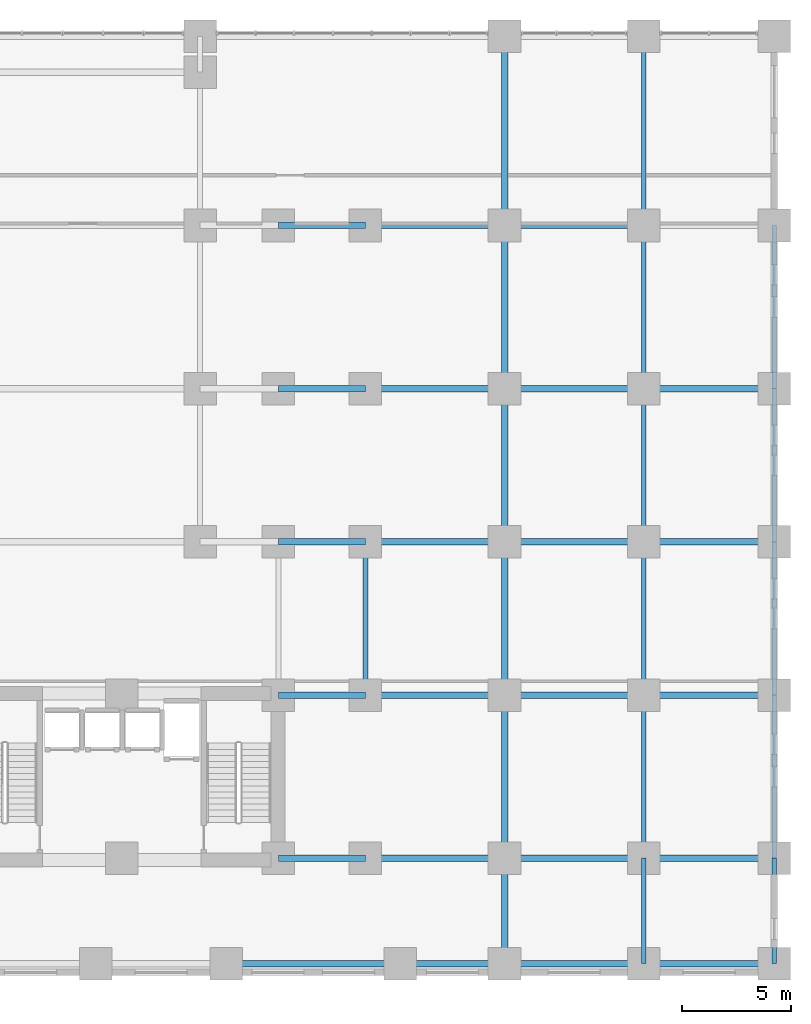
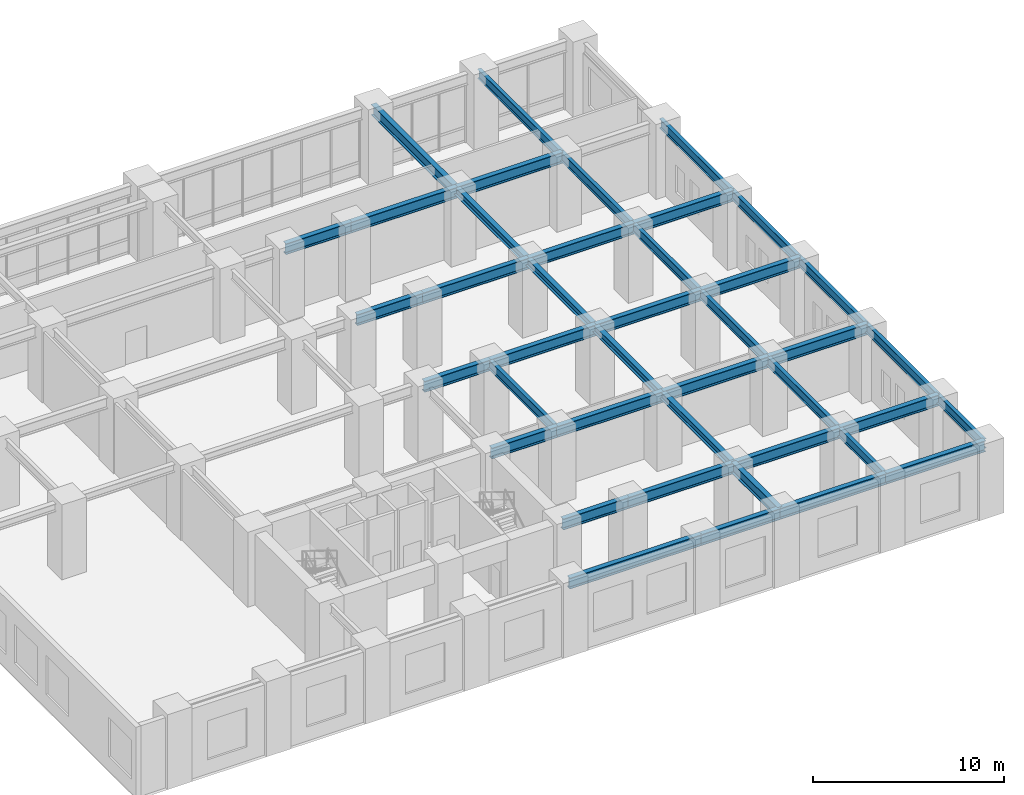
# One storey, part 10 of 22: 41 beams.
"""IFC4 building model written with IfcOpenShell, lengths in metres."""

from ifc_helpers import new_model, si_unit, direction, frame, origin, origin_2d, place, context, subcontext, project, spatial, i_section, extrude, source, transform, mapped, material, material_profile, profile_set, type_object, element, save


model = new_model("IFC4")

# Units and contexts
model_context = context("Model", 3, precision=1e-05, world=origin(), true_north=direction((0.0, 1.0)))
body_context = subcontext(model_context, "Body", "Model", "MODEL_VIEW")
ifc_project = project(units=[si_unit("LENGTHUNIT", "METRE"), si_unit("AREAUNIT", "SQUARE_METRE"), si_unit("VOLUMEUNIT", "CUBIC_METRE"), si_unit("PLANEANGLEUNIT", "RADIAN"), si_unit("MASSUNIT", "GRAM", prefix="KILO")], contexts=[model_context])

# Site, building, storey
site_placement = place(None, origin())
site = spatial("IfcSite", under=ifc_project, at=site_placement, CompositionType="ELEMENT")
building_placement = place(site_placement, origin())
building = spatial("IfcBuilding", under=site, at=building_placement, Name="Kaliganga Portal Commons", CompositionType="ELEMENT")
storey_placement = place(building_placement, frame((0.0, 0.0, 10.199951171875)))
storey = spatial("IfcBuildingStorey", under=building, at=storey_placement, Name="L02", CompositionType="ELEMENT", Elevation=10.199951171875)

# Beams
ifc_material = material(Name="Structural steel S355J2", Category="steel")
ifc_material_profile_1 = material_profile(ifc_material, i_section(OverallWidth=0.219970703125, OverallDepth=0.60009765625, WebThickness=0.011962890625, FlangeThickness=0.01904296875, FilletRadius=0.02392578125, at=origin_2d()), Name="IPE 600")
ifc_profile_set_1 = profile_set([ifc_material_profile_1], Name="Structural steel S355J2 wide-flange")
beam_type_1 = type_object("IfcBeamType", Name="BM-FLR-600", PredefinedType="BEAM", material=ifc_profile_set_1)
shared_shape_1 = source(origin(), body_context, "Body", "SweptSolid", [
    extrude(i_section(OverallWidth=0.219970703125, OverallDepth=0.60009765625, WebThickness=0.011962890625, FlangeThickness=0.01904296875, FilletRadius=0.02392578125, at=origin_2d()), origin(), (0.0, 0.0, 1.0), 7.5),
])
for number, where, z_axis, x_axis, name in (
    (1, (67.199951171875, 7.050048828125, 4.219970703125), (0.0, 1.0, 0.0), (-1.0, 0.0, 0.0), "BM PODE L02 X67 2"),
    (2, (67.199951171875, 28.64990234375, 4.219970703125), (0.0, 1.0, 0.0), (-1.0, 0.0, 0.0), "BM PODE L02 X67 5"),
    (3, (73.199951171875, 7.050048828125, 4.219970703125), (0.0, 1.0, 0.0), (-1.0, 0.0, 0.0), "BM PODE L02 X73 2"),
    (4, (73.199951171875, 28.64990234375, 4.219970703125), (0.0, 1.0, 0.0), (-1.0, 0.0, 0.0), "BM PODE L02 X73 5"),
):
    element("IfcBeam", number, at=place(storey_placement, frame(where, z_axis=z_axis, x_axis=x_axis)), inside=storey, type_object=beam_type_1, Name=name, PredefinedType="BEAM", context=body_context, shape_type="MappedRepresentation", body=[
        mapped(shared_shape_1, transform((0.0, 0.0, 0.0), x_axis=(1.0, 0.0, 0.0), y_axis=(0.0, 1.0, 0.0), z_axis=(0.0, 0.0, 1.0), scale=1.0)),
    ])
shared_shape_2 = source(origin(), body_context, "Body", "SweptSolid", [
    extrude(i_section(OverallWidth=0.219970703125, OverallDepth=0.60009765625, WebThickness=0.011962890625, FlangeThickness=0.01904296875, FilletRadius=0.02392578125, at=origin_2d()), origin(), (0.0, 0.0, 1.0), 7.050048828125),
])
for number, where, z_axis, x_axis, name in (
    (5, (54.39990234375, 14.550048828125, 4.219970703125), (0.0, 1.0, 0.0), (-1.0, 0.0, 0.0), "BM G L02 BNK544"),
    (6, (67.199951171875, 14.550048828125, 4.219970703125), (0.0, 1.0, 0.0), (-1.0, 0.0, 0.0), "BM PODE L02 X67 3"),
    (7, (73.199951171875, 14.550048828125, 4.219970703125), (0.0, 1.0, 0.0), (-1.0, 0.0, 0.0), "BM PODE L02 X73 3"),
):
    element("IfcBeam", number, at=place(storey_placement, frame(where, z_axis=z_axis, x_axis=x_axis)), inside=storey, type_object=beam_type_1, Name=name, PredefinedType="BEAM", context=body_context, shape_type="MappedRepresentation", body=[
        mapped(shared_shape_2, transform((0.0, 0.0, 0.0), x_axis=(1.0, 0.0, 0.0), y_axis=(0.0, 1.0, 0.0), z_axis=(0.0, 0.0, 1.0), scale=1.0)),
    ])
shared_shape_3 = source(origin(), body_context, "Body", "SweptSolid", [
    extrude(i_section(OverallWidth=0.219970703125, OverallDepth=0.60009765625, WebThickness=0.011962890625, FlangeThickness=0.01904296875, FilletRadius=0.02392578125, at=origin_2d()), origin(), (0.0, 0.0, 1.0), 7.0498046875),
])
for number, where, z_axis, x_axis, name in (
    (8, (67.199951171875, 21.60009765625, 4.219970703125), (0.0, 1.0, 0.0), (-1.0, 0.0, 0.0), "BM PODE L02 X67 4"),
    (9, (73.199951171875, 21.60009765625, 4.219970703125), (0.0, 1.0, 0.0), (-1.0, 0.0, 0.0), "BM PODE L02 X73 4"),
):
    element("IfcBeam", number, at=place(storey_placement, frame(where, z_axis=z_axis, x_axis=x_axis)), inside=storey, type_object=beam_type_1, Name=name, PredefinedType="BEAM", context=body_context, shape_type="MappedRepresentation", body=[
        mapped(shared_shape_3, transform((0.0, 0.0, 0.0), x_axis=(1.0, 0.0, 0.0), y_axis=(0.0, 1.0, 0.0), z_axis=(0.0, 0.0, 1.0), scale=1.0)),
    ])
ifc_material_profile_2 = material_profile(ifc_material, i_section(OverallWidth=0.300048828125, OverallDepth=0.699951171875, WebThickness=0.01708984375, FlangeThickness=0.031982421875, FilletRadius=0.027099609375, at=origin_2d()), Name="HE 700 B")
ifc_profile_set_2 = profile_set([ifc_material_profile_2], Name="Structural steel S355J2 wide-flange")
beam_type_2 = type_object("IfcBeamType", Name="BM-GIRD-700", PredefinedType="USERDEFINED", material=ifc_profile_set_2)
shared_shape_4 = source(origin(), body_context, "Body", "SweptSolid", [
    extrude(i_section(OverallWidth=0.300048828125, OverallDepth=0.699951171875, WebThickness=0.01708984375, FlangeThickness=0.031982421875, FilletRadius=0.027099609375, at=origin_2d()), origin(), (0.0, 0.0, 1.0), 4.0),
])
for number, where, z_axis, x_axis, name in (
    (10, (50.39990234375, 7.050048828125, 4.170166015625), (1.0, 0.0, 0.0), (0.0, 1.0, 0.0), "BM G L02 BKE70 1"),
    (11, (50.39990234375, 14.550048828125, 4.170166015625), (1.0, 0.0, 0.0), (0.0, 1.0, 0.0), "BM G L02 BKE146 1"),
    (12, (50.39990234375, 21.60009765625, 4.170166015625), (1.0, 0.0, 0.0), (0.0, 1.0, 0.0), "BM G L02 BKE216 2"),
    (13, (50.39990234375, 28.64990234375, 4.170166015625), (1.0, 0.0, 0.0), (0.0, 1.0, 0.0), "BM G L02 BKE286 2"),
    (14, (50.39990234375, 36.14990234375, 4.170166015625), (1.0, 0.0, 0.0), (0.0, 1.0, 0.0), "BM G L02 BKE362 2"),
):
    element("IfcBeam", number, at=place(storey_placement, frame(where, z_axis=z_axis, x_axis=x_axis)), inside=storey, type_object=beam_type_2, Name=name, ObjectType="GIRDER", PredefinedType="USERDEFINED", context=body_context, shape_type="MappedRepresentation", body=[
        mapped(shared_shape_4, transform((0.0, 0.0, 0.0), x_axis=(1.0, 0.0, 0.0), y_axis=(0.0, 1.0, 0.0), z_axis=(0.0, 0.0, 1.0), scale=1.0)),
    ])
shared_shape_5 = source(origin(), body_context, "Body", "SweptSolid", [
    extrude(i_section(OverallWidth=0.300048828125, OverallDepth=0.699951171875, WebThickness=0.01708984375, FlangeThickness=0.031982421875, FilletRadius=0.027099609375, at=origin_2d()), origin(), (0.0, 0.0, 1.0), 6.400146484375),
])
for number, where, z_axis, x_axis, name in (
    (15, (54.39990234375, 7.050048828125, 4.170166015625), (1.0, 0.0, 0.0), (0.0, 1.0, 0.0), "BM G L02 BKE70 2"),
    (16, (54.39990234375, 14.550048828125, 4.170166015625), (1.0, 0.0, 0.0), (0.0, 1.0, 0.0), "BM G L02 BKE146 2"),
    (17, (54.39990234375, 21.60009765625, 4.170166015625), (1.0, 0.0, 0.0), (0.0, 1.0, 0.0), "BM G L02 BKE216 3"),
    (18, (54.39990234375, 28.64990234375, 4.170166015625), (1.0, 0.0, 0.0), (0.0, 1.0, 0.0), "BM G L02 BKE286 3"),
    (19, (54.39990234375, 36.14990234375, 4.170166015625), (1.0, 0.0, 0.0), (0.0, 1.0, 0.0), "BM G L02 BKE362 3"),
):
    element("IfcBeam", number, at=place(storey_placement, frame(where, z_axis=z_axis, x_axis=x_axis)), inside=storey, type_object=beam_type_2, Name=name, ObjectType="GIRDER", PredefinedType="USERDEFINED", context=body_context, shape_type="MappedRepresentation", body=[
        mapped(shared_shape_5, transform((0.0, 0.0, 0.0), x_axis=(1.0, 0.0, 0.0), y_axis=(0.0, 1.0, 0.0), z_axis=(0.0, 0.0, 1.0), scale=1.0)),
    ])
shared_shape_6 = source(origin(), body_context, "Body", "SweptSolid", [
    extrude(i_section(OverallWidth=0.300048828125, OverallDepth=0.699951171875, WebThickness=0.01708984375, FlangeThickness=0.031982421875, FilletRadius=0.027099609375, at=origin_2d()), origin(), (0.0, 0.0, 1.0), 8.7001953125),
])
beam_1_placement = place(storey_placement, frame((60.800048828125, 36.14990234375, 4.170166015625), z_axis=(0.0, 1.0, 0.0), x_axis=(-1.0, 0.0, 0.0)))
element("IfcBeam", 20, at=beam_1_placement, inside=storey, type_object=beam_type_2, Name="BM PODP L02 E60 6", ObjectType="GIRDER", PredefinedType="USERDEFINED", context=body_context, shape_type="MappedRepresentation", body=[
    mapped(shared_shape_6, transform((0.0, 0.0, 0.0), x_axis=(1.0, 0.0, 0.0), y_axis=(0.0, 1.0, 0.0), z_axis=(0.0, 0.0, 1.0), scale=1.0)),
])
shared_shape_7 = source(origin(), body_context, "Body", "SweptSolid", [
    extrude(i_section(OverallWidth=0.300048828125, OverallDepth=0.699951171875, WebThickness=0.01708984375, FlangeThickness=0.031982421875, FilletRadius=0.027099609375, at=origin_2d()), origin(), (0.0, 0.0, 1.0), 4.85009765625),
])
beam_2_placement = place(storey_placement, frame((60.800048828125, 2.199951171875, 4.170166015625), z_axis=(0.0, 1.0, 0.0), x_axis=(-1.0, 0.0, 0.0)))
element("IfcBeam", 21, at=beam_2_placement, inside=storey, type_object=beam_type_2, Name="BM PODP L02 E60 1", ObjectType="GIRDER", PredefinedType="USERDEFINED", context=body_context, shape_type="MappedRepresentation", body=[
    mapped(shared_shape_7, transform((0.0, 0.0, 0.0), x_axis=(1.0, 0.0, 0.0), y_axis=(0.0, 1.0, 0.0), z_axis=(0.0, 0.0, 1.0), scale=1.0)),
])
shared_shape_8 = source(origin(), body_context, "Body", "SweptSolid", [
    extrude(i_section(OverallWidth=0.300048828125, OverallDepth=0.699951171875, WebThickness=0.01708984375, FlangeThickness=0.031982421875, FilletRadius=0.027099609375, at=origin_2d()), origin(), (0.0, 0.0, 1.0), 6.0),
])
for number, where, z_axis, x_axis, name in (
    (22, (67.199951171875, 2.199951171875, 4.170166015625), (1.0, 0.0, 0.0), (0.0, 1.0, 0.0), "BM PODE L02 Y2 2"),
    (23, (67.199951171875, 7.050048828125, 4.170166015625), (1.0, 0.0, 0.0), (0.0, 1.0, 0.0), "BM PODE L02 Y7 2"),
    (24, (67.199951171875, 14.550048828125, 4.170166015625), (1.0, 0.0, 0.0), (0.0, 1.0, 0.0), "BM PODE L02 Y14 2"),
    (25, (67.199951171875, 21.60009765625, 4.170166015625), (1.0, 0.0, 0.0), (0.0, 1.0, 0.0), "BM PODE L02 Y21 2"),
    (26, (67.199951171875, 28.64990234375, 4.170166015625), (1.0, 0.0, 0.0), (0.0, 1.0, 0.0), "BM PODE L02 Y28 2"),
):
    element("IfcBeam", number, at=place(storey_placement, frame(where, z_axis=z_axis, x_axis=x_axis)), inside=storey, type_object=beam_type_2, Name=name, ObjectType="GIRDER", PredefinedType="USERDEFINED", context=body_context, shape_type="MappedRepresentation", body=[
        mapped(shared_shape_8, transform((0.0, 0.0, 0.0), x_axis=(1.0, 0.0, 0.0), y_axis=(0.0, 1.0, 0.0), z_axis=(0.0, 0.0, 1.0), scale=1.0)),
    ])
shared_shape_9 = source(origin(), body_context, "Body", "SweptSolid", [
    extrude(i_section(OverallWidth=0.300048828125, OverallDepth=0.699951171875, WebThickness=0.01708984375, FlangeThickness=0.031982421875, FilletRadius=0.027099609375, at=origin_2d()), origin(), (0.0, 0.0, 1.0), 8.0),
])
beam_3_placement = place(storey_placement, frame((48.0, 2.199951171875, 4.170166015625), z_axis=(1.0, 0.0, 0.0), x_axis=(0.0, 1.0, 0.0)))
element("IfcBeam", 27, at=beam_3_placement, inside=storey, type_object=beam_type_2, Name="BM PODP L02 S02 5", ObjectType="GIRDER", PredefinedType="USERDEFINED", context=body_context, shape_type="MappedRepresentation", body=[
    mapped(shared_shape_9, transform((0.0, 0.0, 0.0), x_axis=(1.0, 0.0, 0.0), y_axis=(0.0, 1.0, 0.0), z_axis=(0.0, 0.0, 1.0), scale=1.0)),
])
shared_shape_10 = source(origin(), body_context, "Body", "SweptSolid", [
    extrude(i_section(OverallWidth=0.300048828125, OverallDepth=0.699951171875, WebThickness=0.01708984375, FlangeThickness=0.031982421875, FilletRadius=0.027099609375, at=origin_2d()), origin(), (0.0, 0.0, 1.0), 4.800048828125),
])
beam_4_placement = place(storey_placement, frame((56.0, 2.199951171875, 4.170166015625), z_axis=(1.0, 0.0, 0.0), x_axis=(0.0, 1.0, 0.0)))
element("IfcBeam", 28, at=beam_4_placement, inside=storey, type_object=beam_type_2, Name="BM PODP L02 S02 6", ObjectType="GIRDER", PredefinedType="USERDEFINED", context=body_context, shape_type="MappedRepresentation", body=[
    mapped(shared_shape_10, transform((0.0, 0.0, 0.0), x_axis=(1.0, 0.0, 0.0), y_axis=(0.0, 1.0, 0.0), z_axis=(0.0, 0.0, 1.0), scale=1.0)),
])
shared_shape_11 = source(origin(), body_context, "Body", "SweptSolid", [
    extrude(i_section(OverallWidth=0.219970703125, OverallDepth=0.60009765625, WebThickness=0.011962890625, FlangeThickness=0.01904296875, FilletRadius=0.02392578125, at=origin_2d()), origin(), (0.0, 0.0, 1.0), 4.85009765625),
])
for number, where, z_axis, x_axis, name in (
    (29, (67.199951171875, 2.199951171875, 4.219970703125), (0.0, 1.0, 0.0), (-1.0, 0.0, 0.0), "BM PODE L02 X67 1"),
    (30, (73.199951171875, 2.199951171875, 4.219970703125), (0.0, 1.0, 0.0), (-1.0, 0.0, 0.0), "BM PODE L02 X73 1"),
):
    element("IfcBeam", number, at=place(storey_placement, frame(where, z_axis=z_axis, x_axis=x_axis)), inside=storey, type_object=beam_type_1, Name=name, PredefinedType="BEAM", context=body_context, shape_type="MappedRepresentation", body=[
        mapped(shared_shape_11, transform((0.0, 0.0, 0.0), x_axis=(1.0, 0.0, 0.0), y_axis=(0.0, 1.0, 0.0), z_axis=(0.0, 0.0, 1.0), scale=1.0)),
    ])
shared_shape_12 = source(origin(), body_context, "Body", "SweptSolid", [
    extrude(i_section(OverallWidth=0.300048828125, OverallDepth=0.699951171875, WebThickness=0.01708984375, FlangeThickness=0.031982421875, FilletRadius=0.027099609375, at=origin_2d()), origin(), (0.0, 0.0, 1.0), 6.39990234375),
])
for number, where, z_axis, x_axis, name in (
    (31, (60.800048828125, 2.199951171875, 4.170166015625), (1.0, 0.0, 0.0), (0.0, 1.0, 0.0), "BM PODE L02 Y2 1"),
    (32, (60.800048828125, 7.050048828125, 4.170166015625), (1.0, 0.0, 0.0), (0.0, 1.0, 0.0), "BM PODE L02 Y7 1"),
    (33, (60.800048828125, 14.550048828125, 4.170166015625), (1.0, 0.0, 0.0), (0.0, 1.0, 0.0), "BM PODE L02 Y14 1"),
    (34, (60.800048828125, 21.60009765625, 4.170166015625), (1.0, 0.0, 0.0), (0.0, 1.0, 0.0), "BM PODE L02 Y21 1"),
    (35, (60.800048828125, 28.64990234375, 4.170166015625), (1.0, 0.0, 0.0), (0.0, 1.0, 0.0), "BM PODE L02 Y28 1"),
    (36, (60.800048828125, 36.14990234375, 4.170166015625), (1.0, 0.0, 0.0), (0.0, 1.0, 0.0), "BM PODE L02 Y36 1"),
):
    element("IfcBeam", number, at=place(storey_placement, frame(where, z_axis=z_axis, x_axis=x_axis)), inside=storey, type_object=beam_type_2, Name=name, ObjectType="GIRDER", PredefinedType="USERDEFINED", context=body_context, shape_type="MappedRepresentation", body=[
        mapped(shared_shape_12, transform((0.0, 0.0, 0.0), x_axis=(1.0, 0.0, 0.0), y_axis=(0.0, 1.0, 0.0), z_axis=(0.0, 0.0, 1.0), scale=1.0)),
    ])
shared_shape_13 = source(origin(), body_context, "Body", "SweptSolid", [
    extrude(i_section(OverallWidth=0.219970703125, OverallDepth=0.60009765625, WebThickness=0.011962890625, FlangeThickness=0.01904296875, FilletRadius=0.02392578125, at=origin_2d()), origin(), (0.0, 0.0, 1.0), 8.7001953125),
])
beam_5_placement = place(storey_placement, frame((67.199951171875, 36.14990234375, 4.219970703125), z_axis=(0.0, 1.0, 0.0), x_axis=(-1.0, 0.0, 0.0)))
element("IfcBeam", 37, at=beam_5_placement, inside=storey, type_object=beam_type_1, Name="BM PODE L02 X67 6", PredefinedType="BEAM", context=body_context, shape_type="MappedRepresentation", body=[
    mapped(shared_shape_13, transform((0.0, 0.0, 0.0), x_axis=(1.0, 0.0, 0.0), y_axis=(0.0, 1.0, 0.0), z_axis=(0.0, 0.0, 1.0), scale=1.0)),
])
ifc_material_profile_3 = material_profile(ifc_material, i_section(OverallWidth=0.300048828125, OverallDepth=0.5, WebThickness=0.014404296875, FlangeThickness=0.028076171875, FilletRadius=0.027099609375, at=origin_2d()), Name="HE 500 B")
ifc_profile_set_3 = profile_set([ifc_material_profile_3], Name="Structural steel S355J2 wide-flange")
beam_type_3 = type_object("IfcBeamType", Name="BM-SPAND-500", PredefinedType="SPANDREL", material=ifc_profile_set_3)
shared_shape_14 = source(origin(), body_context, "Body", "SweptSolid", [
    extrude(i_section(OverallWidth=0.300048828125, OverallDepth=0.5, WebThickness=0.014404296875, FlangeThickness=0.028076171875, FilletRadius=0.027099609375, at=origin_2d()), origin(), (0.0, 0.0, 1.0), 7.5),
])
for number, where, z_axis, x_axis, name in (
    (38, (60.800048828125, 7.050048828125, 4.27001953125), (0.0, 1.0, 0.0), (-1.0, 0.0, 0.0), "BM SP L02 BE 1"),
    (39, (60.800048828125, 28.64990234375, 4.27001953125), (0.0, 1.0, 0.0), (-1.0, 0.0, 0.0), "BM SP L02 BE 4"),
):
    element("IfcBeam", number, at=place(storey_placement, frame(where, z_axis=z_axis, x_axis=x_axis)), inside=storey, type_object=beam_type_3, Name=name, PredefinedType="SPANDREL", context=body_context, shape_type="MappedRepresentation", body=[
        mapped(shared_shape_14, transform((0.0, 0.0, 0.0), x_axis=(1.0, 0.0, 0.0), y_axis=(0.0, 1.0, 0.0), z_axis=(0.0, 0.0, 1.0), scale=1.0)),
    ])
shared_shape_15 = source(origin(), body_context, "Body", "SweptSolid", [
    extrude(i_section(OverallWidth=0.300048828125, OverallDepth=0.5, WebThickness=0.014404296875, FlangeThickness=0.028076171875, FilletRadius=0.027099609375, at=origin_2d()), origin(), (0.0, 0.0, 1.0), 7.050048828125),
])
beam_6_placement = place(storey_placement, frame((60.800048828125, 14.550048828125, 4.27001953125), z_axis=(0.0, 1.0, 0.0), x_axis=(-1.0, 0.0, 0.0)))
element("IfcBeam", 40, at=beam_6_placement, inside=storey, type_object=beam_type_3, Name="BM SP L02 BE 2", PredefinedType="SPANDREL", context=body_context, shape_type="MappedRepresentation", body=[
    mapped(shared_shape_15, transform((0.0, 0.0, 0.0), x_axis=(1.0, 0.0, 0.0), y_axis=(0.0, 1.0, 0.0), z_axis=(0.0, 0.0, 1.0), scale=1.0)),
])
shared_shape_16 = source(origin(), body_context, "Body", "SweptSolid", [
    extrude(i_section(OverallWidth=0.300048828125, OverallDepth=0.5, WebThickness=0.014404296875, FlangeThickness=0.028076171875, FilletRadius=0.027099609375, at=origin_2d()), origin(), (0.0, 0.0, 1.0), 7.0498046875),
])
beam_7_placement = place(storey_placement, frame((60.800048828125, 21.60009765625, 4.27001953125), z_axis=(0.0, 1.0, 0.0), x_axis=(-1.0, 0.0, 0.0)))
element("IfcBeam", 41, at=beam_7_placement, inside=storey, type_object=beam_type_3, Name="BM SP L02 BE 3", PredefinedType="SPANDREL", context=body_context, shape_type="MappedRepresentation", body=[
    mapped(shared_shape_16, transform((0.0, 0.0, 0.0), x_axis=(1.0, 0.0, 0.0), y_axis=(0.0, 1.0, 0.0), z_axis=(0.0, 0.0, 1.0), scale=1.0)),
])

save(model, "model.ifc")
